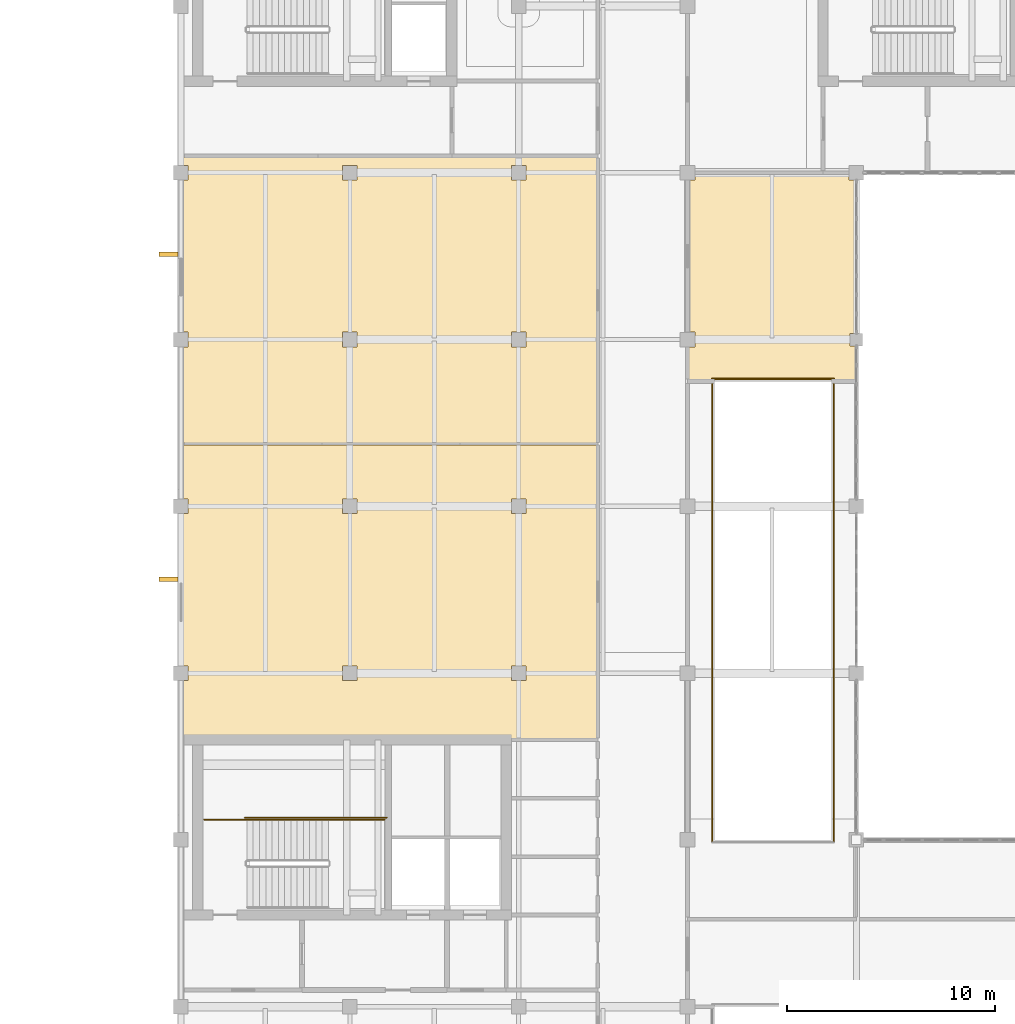
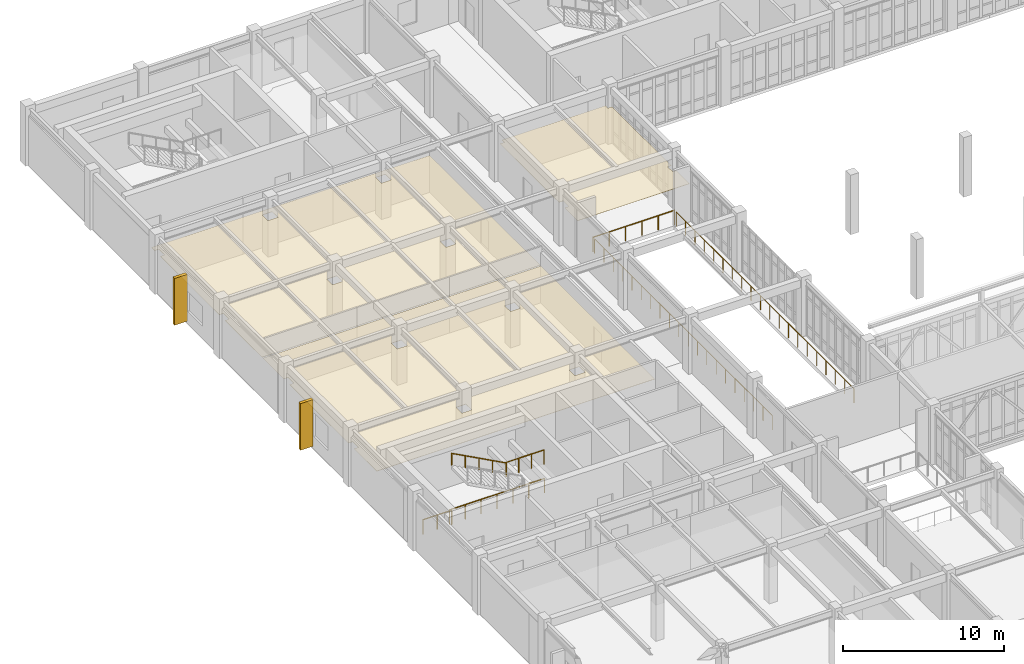
# One storey, part 64 of 67: 7 railings, 3 coverings, 2 shading devices.
"""IFC4 building model written with IfcOpenShell, lengths in metres."""

import ifcopenshell
import ifcopenshell.guid

model = None  # the IFC model being written
_history = None  # IfcOwnerHistory: only IFC2X3 demands one
_inside = {}  # id of a spatial element -> (the spatial element, [elements in it])
_under = {}  # id of a project, library or spatial element -> (it, [spatial elements below it])
_declared = {}  # id of a project -> (the project, [libraries it declares])
_typed = {}  # id of a type object -> (the type object, [elements of that type])
_made_of = {}  # id of a material, layer set ... -> (it, [elements and type objects made of it])


def new_model(schema):
    """Start an empty IFC model of exactly this schema.

    Asked for "IFC4X3", IfcOpenShell would pick the latest addendum, in which some entities
    have other attributes; the version numbers below select the first issue.
    IFC2X3 requires an IfcOwnerHistory on every rooted entity: one is made here for all.
    """
    global model, _history
    if schema == "IFC4X3":
        model = ifcopenshell.file(schema_version=(4, 3, 0, 0))
    else:
        model = ifcopenshell.file(schema=schema)
    _inside.clear()
    _under.clear()
    _declared.clear()
    _typed.clear()
    _made_of.clear()
    _history = None
    if model.schema == "IFC2X3":
        org = make("IfcOrganization", Name="unknown")
        user = make(
            "IfcPersonAndOrganization",
            ThePerson=make("IfcPerson", FamilyName="unknown"),
            TheOrganization=org,
        )
        app = make(
            "IfcApplication",
            ApplicationDeveloper=org,
            Version="unknown",
            ApplicationFullName="unknown",
            ApplicationIdentifier="unknown",
        )
        _history = make(
            "IfcOwnerHistory",
            OwningUser=user,
            OwningApplication=app,
            ChangeAction="ADDED",
            CreationDate=0,
        )
    return model


def make(cls, **values):
    """One entity of the class cls with the attributes given. An attribute that is None is left unset."""
    return model.create_entity(
        cls, **{name: value for name, value in values.items() if value is not None}
    )


def rooted(cls, **values):
    """An entity with a GlobalId (a new one), such as an element, a storey or a relation."""
    return make(cls, GlobalId=ifcopenshell.guid.new(), OwnerHistory=_history, **values)


def si_unit(unit_type, name, prefix=None):
    """IfcSIUnit, for example si_unit("LENGTHUNIT", "METRE", prefix="MILLI")."""
    return make("IfcSIUnit", UnitType=unit_type, Prefix=prefix, Name=name)


def assignment(units):
    """IfcUnitAssignment: the units of a project."""
    return None if units is None else make("IfcUnitAssignment", Units=units)


def point(xyz):
    """IfcCartesianPoint."""
    return None if xyz is None else make("IfcCartesianPoint", Coordinates=xyz)


def direction(xyz):
    """IfcDirection."""
    return None if xyz is None else make("IfcDirection", DirectionRatios=xyz)


def frame(location, z_axis=None, x_axis=None):
    """IfcAxis2Placement3D, a coordinate frame: its origin and axes. An axis left out is left unset."""
    return make(
        "IfcAxis2Placement3D",
        Location=point(location),
        Axis=direction(z_axis),
        RefDirection=direction(x_axis),
    )


def frame_2d(location, x_axis=None):
    """IfcAxis2Placement2D, a coordinate frame in the plane: its origin and x axis."""
    return make(
        "IfcAxis2Placement2D", Location=point(location), RefDirection=direction(x_axis)
    )


def origin():
    """The frame at (0, 0, 0) with its axes left unset."""
    return frame((0.0, 0.0, 0.0))


def origin_2d():
    """The frame at (0, 0) in the plane with its x axis left unset."""
    return frame_2d((0.0, 0.0))


def place(relative_to, where):
    """IfcLocalPlacement: puts the frame where relative to a parent placement (None: the world)."""
    return make(
        "IfcLocalPlacement", PlacementRelTo=relative_to, RelativePlacement=where
    )


def context(
    kind, dimensions, precision=None, world=None, true_north=None, identifier=None
):
    """IfcGeometricRepresentationContext, for example the 3D "Model" context."""
    return make(
        "IfcGeometricRepresentationContext",
        ContextIdentifier=identifier,
        ContextType=kind,
        CoordinateSpaceDimension=dimensions,
        Precision=precision,
        WorldCoordinateSystem=world,
        TrueNorth=true_north,
    )


def subcontext(parent, identifier, kind, view, scale=None):
    """IfcGeometricRepresentationSubContext, for example "Body" below "Model"."""
    return make(
        "IfcGeometricRepresentationSubContext",
        ContextIdentifier=identifier,
        ContextType=kind,
        ParentContext=parent,
        TargetScale=scale,
        TargetView=view,
    )


def project(units=None, contexts=None):
    """IfcProject with its units and contexts."""
    return rooted(
        "IfcProject",
        Name="project",
        RepresentationContexts=contexts,
        UnitsInContext=assignment(units),
    )


def spatial(cls, under=None, at=None, **own):
    """A site, building, storey or space (cls), placed at a placement, below another one or the project."""
    s = rooted(cls, ObjectPlacement=at, **own)
    if under is not None:
        _under.setdefault(under.id(), (under, []))[1].append(s)
    return s


def polyline(points):
    """IfcPolyline through the points."""
    return make("IfcPolyline", Points=[point(p) for p in points])


def profile(cls, at=None, kind="AREA", **sizes):
    """A parametric profile (cls). Its sizes go by their IFC names, for example OverallWidth=200.0."""
    return make(cls, ProfileType=kind, Position=at, **sizes)


def rectangle(**sizes):
    """IfcRectangleProfileDef."""
    return profile("IfcRectangleProfileDef", **sizes)


def circle(**sizes):
    """IfcCircleProfileDef."""
    return profile("IfcCircleProfileDef", **sizes)


def outline(outer, holes=None, kind="AREA"):
    """IfcArbitraryClosedProfileDef: a profile drawn as a closed curve; with holes, ...WithVoids."""
    if holes is None:
        return make("IfcArbitraryClosedProfileDef", ProfileType=kind, OuterCurve=outer)
    return make(
        "IfcArbitraryProfileDefWithVoids",
        ProfileType=kind,
        OuterCurve=outer,
        InnerCurves=holes,
    )


def extrude(swept, where, along, depth):
    """IfcExtrudedAreaSolid: the profile swept, set in the frame where, extruded along a direction by depth."""
    return make(
        "IfcExtrudedAreaSolid",
        SweptArea=swept,
        Position=where,
        ExtrudedDirection=direction(along),
        Depth=depth,
    )


def shape(context_of_items, identifier, shape_type, items):
    """IfcShapeRepresentation: the items that make up one representation, for example the "Body"."""
    return make(
        "IfcShapeRepresentation",
        ContextOfItems=context_of_items,
        RepresentationIdentifier=identifier,
        RepresentationType=shape_type,
        Items=items,
    )


def material(Name=None, Category=None):
    """IfcMaterial."""
    return make("IfcMaterial", Name=Name, Category=Category)


def layer(
    of_material, thickness, ventilated=None, Name=None, Category=None, Priority=None
):
    """IfcMaterialLayer: one layer of a wall or slab, of a material (None: an air gap)."""
    return make(
        "IfcMaterialLayer",
        Material=of_material,
        LayerThickness=thickness,
        IsVentilated=ventilated,
        Name=Name,
        Category=Category,
        Priority=Priority,
    )


def layer_set(layers, Name=None):
    """IfcMaterialLayerSet."""
    return make("IfcMaterialLayerSet", MaterialLayers=layers, LayerSetName=Name)


def material_profile(
    of_material, cross_section, Name=None, Category=None, Priority=None
):
    """IfcMaterialProfile: a cross section and its material."""
    return make(
        "IfcMaterialProfile",
        Name=Name,
        Material=of_material,
        Profile=cross_section,
        Priority=Priority,
        Category=Category,
    )


def profile_set(profiles, Name=None, composite=None):
    """IfcMaterialProfileSet."""
    return make(
        "IfcMaterialProfileSet",
        Name=Name,
        MaterialProfiles=profiles,
        CompositeProfile=composite,
    )


def made_of(thing, what):
    """Note that an element or type object is made of a material, layer set ...; save() writes the relation."""
    if what is not None:
        _made_of.setdefault(what.id(), (what, []))[1].append(thing)
    return thing


def type_object(cls, material=None, **own):
    """A type object (cls), such as IfcWallType, which elements share."""
    return made_of(rooted(cls, **own), material)


def element(
    cls,
    number,
    at=None,
    inside=None,
    cuts=None,
    type_object=None,
    material=None,
    context=None,
    identifier="Body",
    shape_type=None,
    held_by="IfcProductDefinitionShape",
    body=None,
    shapes=None,
    **own,
):
    """One element of the class cls, such as IfcWall. Its Tag is "e" and its number.

    at: its placement. inside: the storey or other place that contains it. cuts: it is an
    opening in that element (IfcRelVoidsElement). A single representation is given by context,
    identifier, shape_type and body (its items); several are given by shapes. held_by: the class
    of the entity that holds the representations. save() writes the other relations.
    """
    e = rooted(cls, Tag="e%d" % number, ObjectPlacement=at, **own)
    if body is not None:
        shapes = [shape(context, identifier, shape_type, body)]
    if shapes is not None:
        e.Representation = make(held_by, Representations=shapes)
    if inside is not None:
        _inside.setdefault(inside.id(), (inside, []))[1].append(e)
    if cuts is not None:
        rooted(
            "IfcRelVoidsElement", RelatingBuildingElement=cuts, RelatedOpeningElement=e
        )
    if type_object is not None:
        _typed.setdefault(type_object.id(), (type_object, []))[1].append(e)
    return made_of(e, material)


def aggregate(whole, parts):
    """IfcRelAggregates: a whole, such as a stair, and the parts it consists of."""
    return rooted("IfcRelAggregates", RelatingObject=whole, RelatedObjects=parts)


def save(model, path):
    """Write the relations noted so far, then the file.

    IfcRelAggregates (storeys below a building ...), IfcRelContainedInSpatialStructure (elements
    in a storey), IfcRelDefinesByType, IfcRelAssociatesMaterial and IfcRelDeclares: one each for
    every whole, place, type object, material and project.
    """
    for whole, parts in _under.values():
        aggregate(whole, parts)
    for where, things in _inside.values():
        rooted(
            "IfcRelContainedInSpatialStructure",
            RelatedElements=things,
            RelatingStructure=where,
        )
    for kind, things in _typed.values():
        rooted("IfcRelDefinesByType", RelatedObjects=things, RelatingType=kind)
    for what, things in _made_of.values():
        rooted("IfcRelAssociatesMaterial", RelatedObjects=things, RelatingMaterial=what)
    for by, libraries in _declared.values():
        rooted("IfcRelDeclares", RelatingContext=by, RelatedDefinitions=libraries)
    model.write(path)


model = new_model("IFC4")

# Units and contexts
model_context = context("Model", 3, precision=1e-05, world=origin(), true_north=direction((0.0, 1.0)))
body_context = subcontext(model_context, "Body", "Model", "MODEL_VIEW")
ifc_project = project(units=[si_unit("LENGTHUNIT", "METRE"), si_unit("AREAUNIT", "SQUARE_METRE"), si_unit("VOLUMEUNIT", "CUBIC_METRE"), si_unit("PLANEANGLEUNIT", "RADIAN"), si_unit("MASSUNIT", "GRAM", prefix="KILO")], contexts=[model_context])

# Site, building, storey
site_placement = place(None, origin())
site = spatial("IfcSite", under=ifc_project, at=site_placement, CompositionType="ELEMENT")
building_placement = place(site_placement, origin())
building = spatial("IfcBuilding", under=site, at=building_placement, Name="Tarnveldt Square Police Headquarters", CompositionType="ELEMENT")
storey_placement = place(building_placement, frame((0.0, 0.0, 10.199951171875)))
storey = spatial("IfcBuildingStorey", under=building, at=storey_placement, Name="L02", CompositionType="ELEMENT", Elevation=10.199951171875)

# Coverings
ifc_material_1 = material(Name="Mineral-fibre acoustic ceiling tile", Category="gypsum")
ifc_layer = layer(ifc_material_1, 0.02001953125)
ifc_layer_set = layer_set([ifc_layer], Name="Mineral-fibre acoustic ceiling tile")
covering_type = type_object("IfcCoveringType", Name="COV-CEIL-20", PredefinedType="CEILING", material=ifc_layer_set)
covering_1_placement = place(storey_placement, frame((0.0, 0.0, 2.75)))
element("IfcCovering", 1, at=covering_1_placement, inside=storey, type_object=covering_type, Name="Patrol Supervisors Administration Office L02 Acoustic Ceiling", PredefinedType="CEILING", context=body_context, shape_type="SweptSolid", body=[
    extrude(outline(polyline([(48.550048828125, 86.050048828125), (40.550048828125, 86.050048828125), (40.550048828125, 87.64794921875), (40.85205078125, 87.64794921875), (40.85205078125, 88.35205078125), (40.550048828125, 88.35205078125), (40.550048828125, 95.64794921875), (40.85205078125, 95.64794921875), (40.85205078125, 95.949951171875), (48.248046875, 95.949951171875), (48.248046875, 95.64794921875), (48.550048828125, 95.64794921875), (48.550048828125, 88.302001953125), (48.298095703125, 88.302001953125), (48.298095703125, 87.697998046875), (48.550048828125, 87.697998046875), (48.550048828125, 86.050048828125)])), origin(), (0.0, 0.0, 1.0), 0.02001953125),
])
covering_2_placement = place(storey_placement, frame((0.0, 0.0, 2.75)))
element("IfcCovering", 2, at=covering_2_placement, inside=storey, type_object=covering_type, Name="Missing Persons Investigation Unit Acoustic Ceiling", PredefinedType="CEILING", context=body_context, shape_type="SweptSolid", body=[
    extrude(outline(polyline([(16.25, 82.949951171875), (36.14990234375, 82.949951171875), (36.14990234375, 68.85009765625), (16.25, 68.85009765625), (16.25, 71.64794921875), (16.552001953125, 71.64794921875), (16.552001953125, 72.35205078125), (16.25, 72.35205078125), (16.25, 79.64794921875), (16.552001953125, 79.64794921875), (16.552001953125, 80.35205078125), (16.25, 80.35205078125), (16.25, 82.949951171875)]), holes=[polyline([(32.751953125, 80.35205078125), (32.048095703125, 80.35205078125), (32.048095703125, 79.64794921875), (32.751953125, 79.64794921875), (32.751953125, 80.35205078125)]), polyline([(32.048095703125, 72.35205078125), (32.048095703125, 71.64794921875), (32.751953125, 71.64794921875), (32.751953125, 72.35205078125), (32.048095703125, 72.35205078125)]), polyline([(24.652099609375, 72.35205078125), (23.947998046875, 72.35205078125), (23.947998046875, 71.64794921875), (24.652099609375, 71.64794921875), (24.652099609375, 72.35205078125)]), polyline([(23.947998046875, 80.35205078125), (23.947998046875, 79.64794921875), (24.652099609375, 79.64794921875), (24.652099609375, 80.35205078125), (23.947998046875, 80.35205078125)])]), origin(), (0.0, 0.0, 1.0), 0.02001953125),
])
covering_3_placement = place(storey_placement, frame((0.0, 0.0, 2.75)))
element("IfcCovering", 3, at=covering_3_placement, inside=storey, type_object=covering_type, Name="Community Response Operations Office Acoustic Ceiling", PredefinedType="CEILING", context=body_context, shape_type="SweptSolid", body=[
    extrude(outline(polyline([(16.25, 96.75), (36.14990234375, 96.75), (36.14990234375, 83.050048828125), (16.25, 83.050048828125), (16.25, 87.64794921875), (16.552001953125, 87.64794921875), (16.552001953125, 88.35205078125), (16.25, 88.35205078125), (16.25, 95.64794921875), (16.552001953125, 95.64794921875), (16.552001953125, 96.35205078125), (16.25, 96.35205078125), (16.25, 96.75)]), holes=[polyline([(32.751953125, 96.35205078125), (32.048095703125, 96.35205078125), (32.048095703125, 95.64794921875), (32.751953125, 95.64794921875), (32.751953125, 96.35205078125)]), polyline([(32.751953125, 88.35205078125), (32.048095703125, 88.35205078125), (32.048095703125, 87.64794921875), (32.751953125, 87.64794921875), (32.751953125, 88.35205078125)]), polyline([(23.947998046875, 88.35205078125), (23.947998046875, 87.64794921875), (24.652099609375, 87.64794921875), (24.652099609375, 88.35205078125), (23.947998046875, 88.35205078125)]), polyline([(24.652099609375, 96.35205078125), (23.947998046875, 96.35205078125), (23.947998046875, 95.64794921875), (24.652099609375, 95.64794921875), (24.652099609375, 96.35205078125)])]), origin(), (0.0, 0.0, 1.0), 0.02001953125),
])

# Railings
ifc_material_2 = material(Name="Steel 350W", Category="steel")
railing_type_1 = type_object("IfcRailingType", Name="RL-GR-1100", PredefinedType="GUARDRAIL", material=ifc_material_2)
railing_1_placement = place(storey_placement, frame((23.27001953125, 64.969970703125, 2.25)))
element("IfcRailing", 4, at=railing_1_placement, inside=storey, type_object=railing_type_1, Name="L02 ST1 stair guard 3", PredefinedType="GUARDRAIL", context=body_context, shape_type="SweptSolid", body=[
    extrude(circle(Radius=0.02392578125, at=origin_2d()), frame((0.0, 0.0, 1.076171875), z_axis=(1.0, 0.0, 0.0), x_axis=(0.0, 1.0, 0.0)), (0.0, 0.0, 1.0), 2.699951171875),
    extrude(circle(Radius=0.02099609375, at=origin_2d()), origin(), (0.0, 0.0, 1.0), 1.052001953125),
    extrude(circle(Radius=0.02099609375, at=origin_2d()), frame((0.89990234375, 0.0, 0.0)), (0.0, 0.0, 1.0), 1.052001953125),
    extrude(circle(Radius=0.02099609375, at=origin_2d()), frame((1.800048828125, 0.0, 0.0)), (0.0, 0.0, 1.0), 1.052001953125),
    extrude(circle(Radius=0.02099609375, at=origin_2d()), frame((2.699951171875, 0.0, 0.0)), (0.0, 0.0, 1.0), 1.052001953125),
])
railing_2_placement = place(storey_placement, frame((17.320068359375, 64.969970703125, 0.0)))
element("IfcRailing", 5, at=railing_2_placement, inside=storey, type_object=railing_type_1, Name="L02 ST1 stair guard 6", PredefinedType="GUARDRAIL", context=body_context, shape_type="SweptSolid", body=[
    extrude(circle(Radius=0.02392578125, at=origin_2d()), frame((0.0, 0.0, 1.076171875), z_axis=(1.0, 0.0, 0.0), x_axis=(0.0, 1.0, 0.0)), (0.0, 0.0, 1.0), 2.050048828125),
    extrude(circle(Radius=0.02099609375, at=origin_2d()), origin(), (0.0, 0.0, 1.0), 1.052001953125),
    extrude(circle(Radius=0.02099609375, at=origin_2d()), frame((1.02490234375, 0.0, 0.0)), (0.0, 0.0, 1.0), 1.052001953125),
    extrude(circle(Radius=0.02099609375, at=origin_2d()), frame((2.050048828125, 0.0, 0.0)), (0.0, 0.0, 1.0), 1.052001953125),
])
railing_3_placement = place(storey_placement, frame((19.27001953125, 65.070068359375, 0.0)))
element("IfcRailing", 6, at=railing_3_placement, inside=storey, type_object=railing_type_1, Name="L02 ST1 stair guard 7", PredefinedType="GUARDRAIL", context=body_context, shape_type="SweptSolid", body=[
    extrude(circle(Radius=0.02392578125, at=origin_2d()), frame((0.0, 0.0, 1.076171875), z_axis=(1.0, 0.0, 0.0), x_axis=(0.0, 1.0, 0.0)), (0.0, 0.0, 1.0), 6.800048828125),
    extrude(circle(Radius=0.02099609375, at=origin_2d()), origin(), (0.0, 0.0, 1.0), 1.052001953125),
    extrude(circle(Radius=0.02099609375, at=origin_2d()), frame((1.13330078125, 0.0, 0.0)), (0.0, 0.0, 1.0), 1.052001953125),
    extrude(circle(Radius=0.02099609375, at=origin_2d()), frame((2.2666015625, 0.0, 0.0)), (0.0, 0.0, 1.0), 1.052001953125),
    extrude(circle(Radius=0.02099609375, at=origin_2d()), frame((3.39990234375, 0.0, 0.0)), (0.0, 0.0, 1.0), 1.052001953125),
    extrude(circle(Radius=0.02099609375, at=origin_2d()), frame((4.533447265625, 0.0, 0.0)), (0.0, 0.0, 1.0), 1.052001953125),
    extrude(circle(Radius=0.02099609375, at=origin_2d()), frame((5.666748046875, 0.0, 0.0)), (0.0, 0.0, 1.0), 1.052001953125),
    extrude(circle(Radius=0.02099609375, at=origin_2d()), frame((6.800048828125, 0.0, 0.0)), (0.0, 0.0, 1.0), 1.052001953125),
])
railing_4_placement = place(storey_placement, frame((47.52001953125, 63.8798828125, 0.0)))
element("IfcRailing", 7, at=railing_4_placement, inside=storey, type_object=railing_type_1, Name="L02 WG-ATRIUM-2N Atrium Overlook Guardrail E1", PredefinedType="GUARDRAIL", context=body_context, shape_type="SweptSolid", body=[
    extrude(circle(Radius=0.02392578125, at=origin_2d()), frame((0.0, 0.0, 1.076171875), z_axis=(0.0, 1.0, 0.0), x_axis=(-1.0, 0.0, 0.0)), (0.0, 0.0, 1.0), 22.030029296875),
    extrude(circle(Radius=0.02099609375, at=origin_2d()), origin(), (0.0, 0.0, 1.0), 1.052001953125),
    extrude(circle(Radius=0.02099609375, at=origin_2d()), frame((0.0, 1.159423828125, 0.0)), (0.0, 0.0, 1.0), 1.052001953125),
    extrude(circle(Radius=0.02099609375, at=origin_2d()), frame((0.0, 2.31884765625, 0.0)), (0.0, 0.0, 1.0), 1.052001953125),
    extrude(circle(Radius=0.02099609375, at=origin_2d()), frame((0.0, 3.478515625, 0.0)), (0.0, 0.0, 1.0), 1.052001953125),
    extrude(circle(Radius=0.02099609375, at=origin_2d()), frame((0.0, 4.637939453125, 0.0)), (0.0, 0.0, 1.0), 1.052001953125),
    extrude(circle(Radius=0.02099609375, at=origin_2d()), frame((0.0, 5.79736328125, 0.0)), (0.0, 0.0, 1.0), 1.052001953125),
    extrude(circle(Radius=0.02099609375, at=origin_2d()), frame((0.0, 6.956787109375, 0.0)), (0.0, 0.0, 1.0), 1.052001953125),
    extrude(circle(Radius=0.02099609375, at=origin_2d()), frame((0.0, 8.1162109375, 0.0)), (0.0, 0.0, 1.0), 1.052001953125),
    extrude(circle(Radius=0.02099609375, at=origin_2d()), frame((0.0, 9.27587890625, 0.0)), (0.0, 0.0, 1.0), 1.052001953125),
    extrude(circle(Radius=0.02099609375, at=origin_2d()), frame((0.0, 10.435302734375, 0.0)), (0.0, 0.0, 1.0), 1.052001953125),
    extrude(circle(Radius=0.02099609375, at=origin_2d()), frame((0.0, 11.5947265625, 0.0)), (0.0, 0.0, 1.0), 1.052001953125),
    extrude(circle(Radius=0.02099609375, at=origin_2d()), frame((0.0, 12.754150390625, 0.0)), (0.0, 0.0, 1.0), 1.052001953125),
    extrude(circle(Radius=0.02099609375, at=origin_2d()), frame((0.0, 13.913818359375, 0.0)), (0.0, 0.0, 1.0), 1.052001953125),
    extrude(circle(Radius=0.02099609375, at=origin_2d()), frame((0.0, 15.0732421875, 0.0)), (0.0, 0.0, 1.0), 1.052001953125),
    extrude(circle(Radius=0.02099609375, at=origin_2d()), frame((0.0, 16.232666015625, 0.0)), (0.0, 0.0, 1.0), 1.052001953125),
    extrude(circle(Radius=0.02099609375, at=origin_2d()), frame((0.0, 17.39208984375, 0.0)), (0.0, 0.0, 1.0), 1.052001953125),
    extrude(circle(Radius=0.02099609375, at=origin_2d()), frame((0.0, 18.551513671875, 0.0)), (0.0, 0.0, 1.0), 1.052001953125),
    extrude(circle(Radius=0.02099609375, at=origin_2d()), frame((0.0, 19.711181640625, 0.0)), (0.0, 0.0, 1.0), 1.052001953125),
    extrude(circle(Radius=0.02099609375, at=origin_2d()), frame((0.0, 20.87060546875, 0.0)), (0.0, 0.0, 1.0), 1.052001953125),
    extrude(circle(Radius=0.02099609375, at=origin_2d()), frame((0.0, 22.030029296875, 0.0)), (0.0, 0.0, 1.0), 1.052001953125),
])
railing_5_placement = place(storey_placement, frame((47.52001953125, 86.1201171875, 0.0)))
element("IfcRailing", 8, at=railing_5_placement, inside=storey, type_object=railing_type_1, Name="L02 WG-ATRIUM-2N Atrium Overlook Guardrail N1", PredefinedType="GUARDRAIL", context=body_context, shape_type="SweptSolid", body=[
    extrude(circle(Radius=0.02392578125, at=origin_2d()), frame((0.0, 0.0, 1.076171875), z_axis=(-1.0, 0.0, 0.0), x_axis=(0.0, -1.0, 0.0)), (0.0, 0.0, 1.0), 5.840087890625),
    extrude(circle(Radius=0.02099609375, at=origin_2d()), origin(), (0.0, 0.0, 1.0), 1.052001953125),
    extrude(circle(Radius=0.02099609375, at=origin_2d()), frame((-1.16796875, 0.0, 0.0)), (0.0, 0.0, 1.0), 1.052001953125),
    extrude(circle(Radius=0.02099609375, at=origin_2d()), frame((-2.3359375, 0.0, 0.0)), (0.0, 0.0, 1.0), 1.052001953125),
    extrude(circle(Radius=0.02099609375, at=origin_2d()), frame((-3.504150390625, 0.0, 0.0)), (0.0, 0.0, 1.0), 1.052001953125),
    extrude(circle(Radius=0.02099609375, at=origin_2d()), frame((-4.672119140625, 0.0, 0.0)), (0.0, 0.0, 1.0), 1.052001953125),
    extrude(circle(Radius=0.02099609375, at=origin_2d()), frame((-5.840087890625, 0.0, 0.0)), (0.0, 0.0, 1.0), 1.052001953125),
])
railing_6_placement = place(storey_placement, frame((41.679931640625, 85.909912109375, 0.0)))
element("IfcRailing", 9, at=railing_6_placement, inside=storey, type_object=railing_type_1, Name="L02 WG-ATRIUM-2N Atrium Overlook Guardrail W2", PredefinedType="GUARDRAIL", context=body_context, shape_type="SweptSolid", body=[
    extrude(circle(Radius=0.02392578125, at=origin_2d()), frame((0.0, 0.0, 1.076171875), z_axis=(0.0, -1.0, 0.0), x_axis=(1.0, 0.0, 0.0)), (0.0, 0.0, 1.0), 22.030029296875),
    extrude(circle(Radius=0.02099609375, at=origin_2d()), origin(), (0.0, 0.0, 1.0), 1.052001953125),
    extrude(circle(Radius=0.02099609375, at=origin_2d()), frame((0.0, -1.159423828125, 0.0)), (0.0, 0.0, 1.0), 1.052001953125),
    extrude(circle(Radius=0.02099609375, at=origin_2d()), frame((0.0, -2.31884765625, 0.0)), (0.0, 0.0, 1.0), 1.052001953125),
    extrude(circle(Radius=0.02099609375, at=origin_2d()), frame((0.0, -3.478515625, 0.0)), (0.0, 0.0, 1.0), 1.052001953125),
    extrude(circle(Radius=0.02099609375, at=origin_2d()), frame((0.0, -4.637939453125, 0.0)), (0.0, 0.0, 1.0), 1.052001953125),
    extrude(circle(Radius=0.02099609375, at=origin_2d()), frame((0.0, -5.79736328125, 0.0)), (0.0, 0.0, 1.0), 1.052001953125),
    extrude(circle(Radius=0.02099609375, at=origin_2d()), frame((0.0, -6.956787109375, 0.0)), (0.0, 0.0, 1.0), 1.052001953125),
    extrude(circle(Radius=0.02099609375, at=origin_2d()), frame((0.0, -8.1162109375, 0.0)), (0.0, 0.0, 1.0), 1.052001953125),
    extrude(circle(Radius=0.02099609375, at=origin_2d()), frame((0.0, -9.27587890625, 0.0)), (0.0, 0.0, 1.0), 1.052001953125),
    extrude(circle(Radius=0.02099609375, at=origin_2d()), frame((0.0, -10.435302734375, 0.0)), (0.0, 0.0, 1.0), 1.052001953125),
    extrude(circle(Radius=0.02099609375, at=origin_2d()), frame((0.0, -11.5947265625, 0.0)), (0.0, 0.0, 1.0), 1.052001953125),
    extrude(circle(Radius=0.02099609375, at=origin_2d()), frame((0.0, -12.754150390625, 0.0)), (0.0, 0.0, 1.0), 1.052001953125),
    extrude(circle(Radius=0.02099609375, at=origin_2d()), frame((0.0, -13.913818359375, 0.0)), (0.0, 0.0, 1.0), 1.052001953125),
    extrude(circle(Radius=0.02099609375, at=origin_2d()), frame((0.0, -15.0732421875, 0.0)), (0.0, 0.0, 1.0), 1.052001953125),
    extrude(circle(Radius=0.02099609375, at=origin_2d()), frame((0.0, -16.232666015625, 0.0)), (0.0, 0.0, 1.0), 1.052001953125),
    extrude(circle(Radius=0.02099609375, at=origin_2d()), frame((0.0, -17.39208984375, 0.0)), (0.0, 0.0, 1.0), 1.052001953125),
    extrude(circle(Radius=0.02099609375, at=origin_2d()), frame((0.0, -18.551513671875, 0.0)), (0.0, 0.0, 1.0), 1.052001953125),
    extrude(circle(Radius=0.02099609375, at=origin_2d()), frame((0.0, -19.711181640625, 0.0)), (0.0, 0.0, 1.0), 1.052001953125),
    extrude(circle(Radius=0.02099609375, at=origin_2d()), frame((0.0, -20.87060546875, 0.0)), (0.0, 0.0, 1.0), 1.052001953125),
    extrude(circle(Radius=0.02099609375, at=origin_2d()), frame((0.0, -22.030029296875, 0.0)), (0.0, 0.0, 1.0), 1.052001953125),
])
railing_type_2 = type_object("IfcRailingType", Name="RL-HR-900", PredefinedType="HANDRAIL", material=ifc_material_2)
railing_7_placement = place(storey_placement, frame((23.27001953125, 64.969970703125, 2.41064453125)))
element("IfcRailing", 10, at=railing_7_placement, inside=storey, type_object=railing_type_2, Name="L02 ST1 stair handrail 2", PredefinedType="HANDRAIL", context=body_context, shape_type="SweptSolid", body=[
    extrude(circle(Radius=0.02392578125, at=origin_2d()), frame((0.0, 0.0, 0.8759765625), z_axis=(-0.881468485026, 0.0, 0.472242850561), x_axis=(0.0, -1.0, 0.0)), (0.0, 0.0, 1.0), 4.42431640625),
    extrude(circle(Radius=0.02099609375, at=origin_2d()), origin(), (0.0, 0.0, 1.0), 0.851806640625),
    extrude(circle(Radius=0.02099609375, at=origin_2d()), frame((-0.97509765625, 0.0, 0.5224609375)), (0.0, 0.0, 1.0), 0.851806640625),
    extrude(circle(Radius=0.02099609375, at=origin_2d()), frame((-1.949951171875, 0.0, 1.044677734375)), (0.0, 0.0, 1.0), 0.851806640625),
    extrude(circle(Radius=0.02099609375, at=origin_2d()), frame((-2.9248046875, 0.0, 1.56689453125)), (0.0, 0.0, 1.0), 0.851806640625),
    extrude(circle(Radius=0.02099609375, at=origin_2d()), frame((-3.89990234375, 0.0, 2.08935546875)), (0.0, 0.0, 1.0), 0.851806640625),
])

# Shading devices
ifc_material_3 = material(Name="Precast concrete 35 MPa", Category="concrete")
ifc_material_profile = material_profile(ifc_material_3, rectangle(XDim=0.219970703125, YDim=0.89990234375, at=origin_2d()), Name="PC-FIN220x900")
ifc_profile_set = profile_set([ifc_material_profile], Name="Precast concrete 35 MPa")
shading_device_type = type_object("IfcShadingDeviceType", Name="SHD-FIN-900", PredefinedType="USERDEFINED", material=ifc_profile_set)
for number, where, z_axis, x_axis, name in (
    (11, (15.610107421875, 92.10009765625, 0.150146484375), (0.0, 0.0, 1.0), (0.0, -1.0, 0.0), "L02 Precast Deep-Reveal Brutalist Fin 025"),
    (12, (15.610107421875, 76.5, 0.150146484375), (0.0, 0.0, 1.0), (0.0, -1.0, 0.0), "L02 Precast Deep-Reveal Brutalist Fin 026"),
):
    element("IfcShadingDevice", number, at=place(storey_placement, frame(where, z_axis=z_axis, x_axis=x_axis)), inside=storey, type_object=shading_device_type, Name=name, ObjectType="SOLAR SHADING FIN", PredefinedType="USERDEFINED", context=body_context, shape_type="SweptSolid", body=[
        extrude(rectangle(XDim=0.219970703125, YDim=0.89990234375, at=origin_2d()), origin(), (0.0, 0.0, 1.0), 3.531982421875),
    ])

save(model, "model.ifc")
